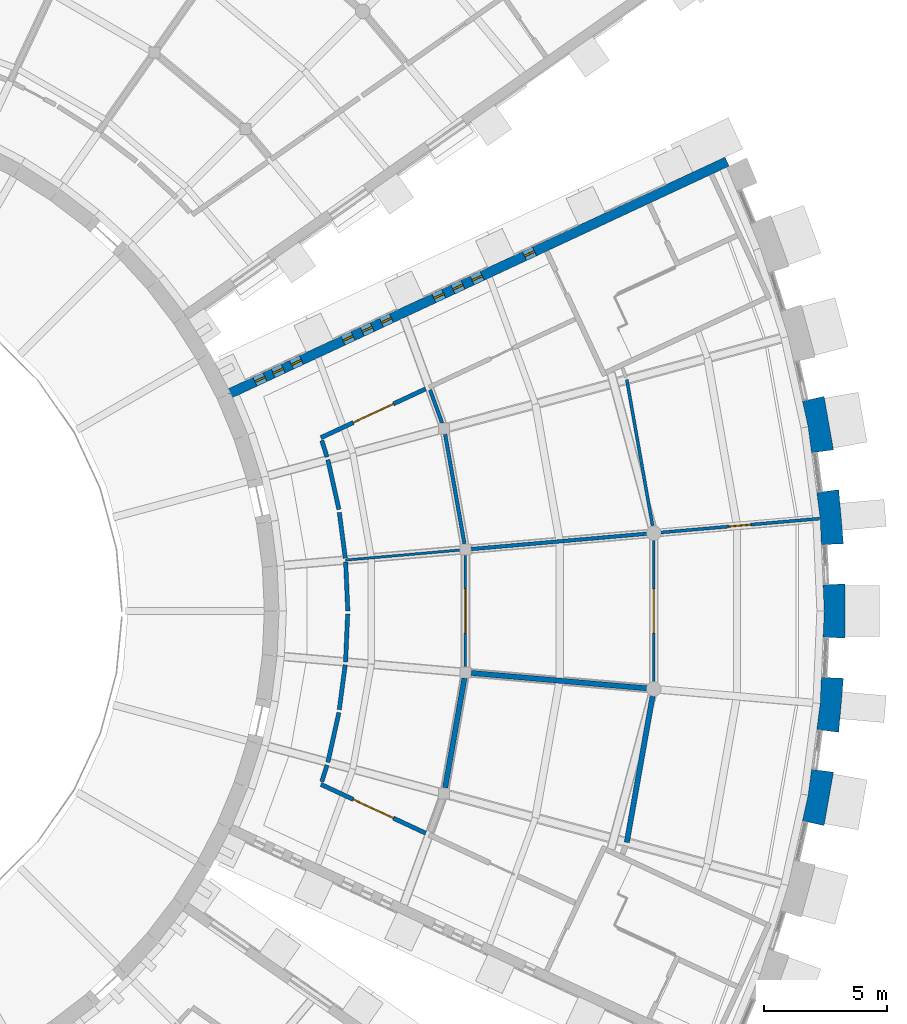
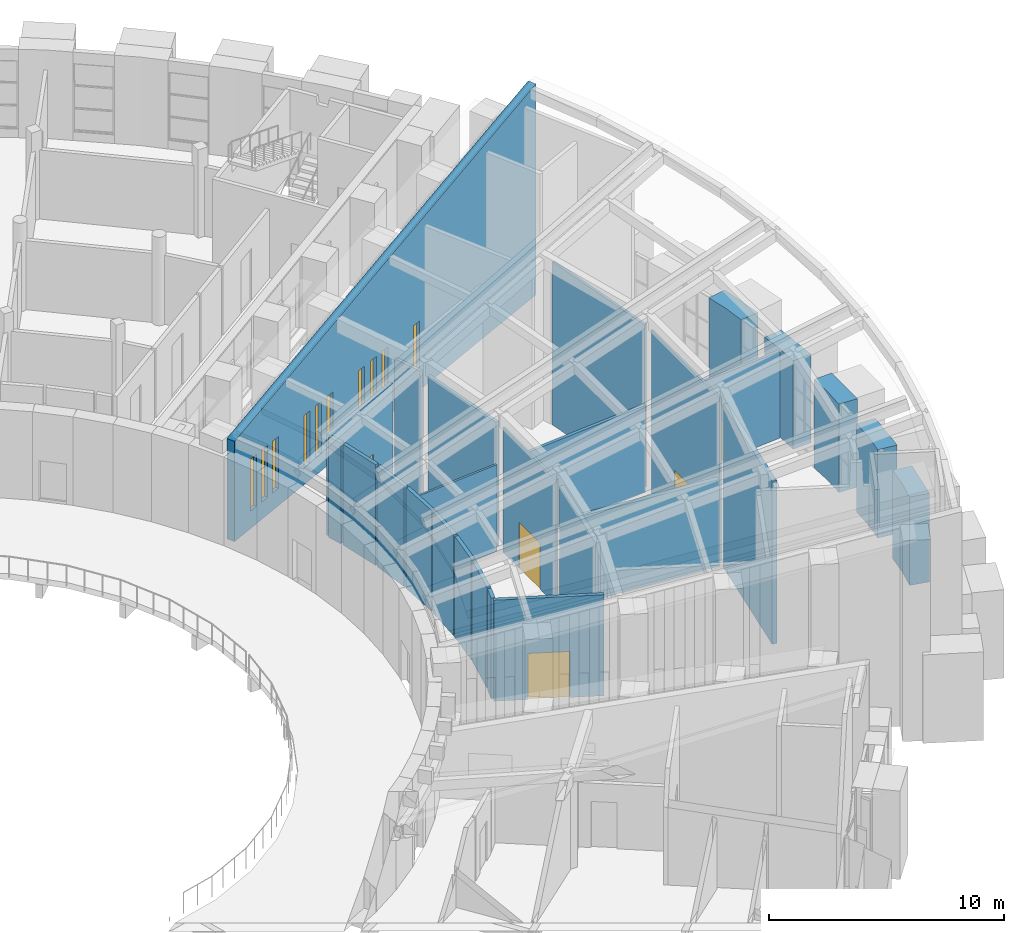
# One storey, part 29 of 50: 27 walls, 10 windows, 5 doors, 15 openings.
"""IFC4 building model written with IfcOpenShell, lengths in metres."""

from ifc_helpers import new_model, si_unit, direction, frame, frame_2d, origin, place, context, subcontext, project, spatial, polyline, rectangle, outline, extrude, material, layer, layer_set, type_object, element, fill, save


model = new_model("IFC4")

# Units and contexts
model_context = context("Model", 3, precision=1e-05, world=origin(), true_north=direction((0.0, 1.0)))
body_context = subcontext(model_context, "Body", "Model", "MODEL_VIEW")
ifc_project = project(units=[si_unit("LENGTHUNIT", "METRE"), si_unit("AREAUNIT", "SQUARE_METRE"), si_unit("VOLUMEUNIT", "CUBIC_METRE"), si_unit("PLANEANGLEUNIT", "RADIAN"), si_unit("MASSUNIT", "GRAM", prefix="KILO")], contexts=[model_context])

# Site, building, storey
site_placement = place(None, origin())
site = spatial("IfcSite", under=ifc_project, at=site_placement, CompositionType="ELEMENT")
building_placement = place(site_placement, origin())
building = spatial("IfcBuilding", under=site, at=building_placement, Name="Volute Hill Aquarium", CompositionType="ELEMENT")
storey_placement = place(building_placement, frame((0.0, 0.0, 9.199951171875)))
storey = spatial("IfcBuildingStorey", under=building, at=storey_placement, Name="L03", CompositionType="ELEMENT", Elevation=9.199951171875)

# Walls
ifc_material_1 = material(Name="Gypsum board on steel studs", Category="steel")
ifc_layer_1 = layer(ifc_material_1, 0.14990234375)
ifc_layer_set_1 = layer_set([ifc_layer_1], Name="Acoustic partition 150")
wall_type_1 = type_object("IfcWallType", Name="Acoustic partition 150", PredefinedType="PARTITIONING", material=ifc_layer_set_1)
wall_1_placement = place(storey_placement, frame((28.829833984375, 2.522216796875, 0.0), z_axis=(0.0, 0.0, 1.0), x_axis=(0.996193240342, 0.087172403299, 0.0)))
element("IfcWall", 1, at=wall_1_placement, inside=storey, type_object=wall_type_1, Name="pw/S4/L03/002", PredefinedType="PARTITIONING", context=body_context, shape_type="SweptSolid", body=[
    extrude(rectangle(XDim=7.22021484375, YDim=0.14990234375, at=frame_2d((3.610107421875, 0.0))), origin(), (0.0, 0.0, 1.0), 4.521728515625),
])
wall_2_placement = place(storey_placement, frame((27.763671875, 7.19189453125, 0.0), z_axis=(0.0, 0.0, 1.0), x_axis=(0.173696036677, -0.984799312978, 0.0)))
element("IfcWall", 2, at=wall_2_placement, inside=storey, type_object=wall_type_1, Name="pw/S4/L03/013", PredefinedType="PARTITIONING", context=body_context, shape_type="SweptSolid", body=[
    extrude(rectangle(XDim=4.523193359375, YDim=0.14990234375, at=frame_2d((2.26171875, 0.0))), origin(), (0.0, 0.0, 1.0), 6.50146484375),
])
wall_3_placement = place(storey_placement, frame((27.14990234375, 9.000244140625, 0.0), z_axis=(0.0, 0.0, 1.0), x_axis=(0.342016566384, -0.939693922679, 0.0)))
element("IfcWall", 3, at=wall_3_placement, inside=storey, type_object=wall_type_1, Name="pw/S4/L03/022", PredefinedType="PARTITIONING", context=body_context, shape_type="SweptSolid", body=[
    extrude(rectangle(XDim=1.433349609375, YDim=0.14990234375, at=frame_2d((0.716796875, 0.0))), origin(), (0.0, 0.0, 1.0), 6.50146484375),
])

# Wall, opening, door
ifc_material_2 = material(Name="Gypsum board on steel studs", Category="steel")
ifc_layer_2 = layer(ifc_material_2, 0.175048828125)
ifc_layer_set_2 = layer_set([ifc_layer_2], Name="Corridor partition 175 EI 60")
wall_type_2 = type_object("IfcWallType", Name="Corridor partition 175 EI 60", PredefinedType="PARTITIONING", material=ifc_layer_set_2)
wall_4_placement = place(storey_placement, frame((26.9736328125, 9.04736328125, 0.0), z_axis=(0.0, 0.0, 1.0), x_axis=(-0.906308936169, -0.422615797409, 0.0)))
wall_4 = element("IfcWall", 4, at=wall_4_placement, inside=storey, type_object=wall_type_2, Name="pw/S4/L03/009", PredefinedType="PARTITIONING", context=body_context, shape_type="SweptSolid", body=[
    extrude(rectangle(XDim=4.708740234375, YDim=0.175048828125, at=frame_2d((2.3544921875, 0.0))), origin(), (0.0, 0.0, 1.0), 5.252197265625),
])
opening_1_placement = place(wall_4_placement, frame((1.454345703125, 0.0, 0.0)))
opening_1 = element("IfcOpeningElement", 5, at=opening_1_placement, cuts=wall_4, Name="Opening D4.03.02", PredefinedType="OPENING", context=body_context, shape_type="SweptSolid", body=[
    extrude(rectangle(XDim=1.800048828125, YDim=2.39990234375, at=frame_2d((0.89990234375, 1.199951171875))), frame((0.0, 0.097412109375, 0.0), z_axis=(0.0, -1.0, 0.0), x_axis=(1.0, 0.0, 0.0)), (0.0, 0.0, 1.0), 0.195068359375),
])
ifc_material_3 = material(Name="Timber, fire-rated", Category="wood")
door_type_1 = type_object("IfcDoorType", Name="Door 1800 x 2400 gallery double EI1 30", OperationType="DOUBLE_DOOR_SINGLE_SWING", PredefinedType="DOOR", material=ifc_material_3)
door_1_placement = place(opening_1_placement, origin())
door_1 = element("IfcDoor", 6, at=door_1_placement, inside=storey, type_object=door_type_1, Name="d/S4/L03/02", OperationType="SINGLE_SWING_LEFT", OverallHeight=2.39990234375, OverallWidth=1.800048828125, PredefinedType="DOOR", context=body_context, shape_type="SweptSolid", body=[
    extrude(rectangle(XDim=1.800048828125, YDim=2.39990234375, at=frame_2d((0.89990234375, 1.199951171875))), frame((0.0, 0.02490234375, 0.0), z_axis=(0.0, -1.0, 0.0), x_axis=(1.0, 0.0, 0.0)), (0.0, 0.0, 1.0), 0.050048828125),
])
fill(opening_1, door_1)

wall_5_placement = place(storey_placement, frame((22.7060546875, -7.057373046875, 0.0), z_axis=(0.0, 0.0, 1.0), x_axis=(0.906308936169, -0.422615797409, 0.0)))
wall_5 = element("IfcWall", 7, at=wall_5_placement, inside=storey, type_object=wall_type_2, Name="pw/S4/L03/010", PredefinedType="PARTITIONING", context=body_context, shape_type="SweptSolid", body=[
    extrude(rectangle(XDim=4.708740234375, YDim=0.175048828125, at=frame_2d((2.3544921875, 0.0))), origin(), (0.0, 0.0, 1.0), 5.252197265625),
])
opening_2_placement = place(wall_5_placement, frame((1.454345703125, 0.0, 0.0)))
opening_2 = element("IfcOpeningElement", 8, at=opening_2_placement, cuts=wall_5, Name="Opening D4.03.01", PredefinedType="OPENING", context=body_context, shape_type="SweptSolid", body=[
    extrude(rectangle(XDim=1.800048828125, YDim=2.39990234375, at=frame_2d((0.89990234375, 1.199951171875))), frame((0.0, 0.097412109375, 0.0), z_axis=(0.0, -1.0, 0.0), x_axis=(1.0, 0.0, 0.0)), (0.0, 0.0, 1.0), 0.195068359375),
])
door_2_placement = place(opening_2_placement, origin())
door_2 = element("IfcDoor", 9, at=door_2_placement, inside=storey, type_object=door_type_1, Name="d/S4/L03/01", OperationType="SINGLE_SWING_LEFT", OverallHeight=2.39990234375, OverallWidth=1.800048828125, PredefinedType="DOOR", context=body_context, shape_type="SweptSolid", body=[
    extrude(rectangle(XDim=1.800048828125, YDim=2.39990234375, at=frame_2d((0.89990234375, 1.199951171875))), frame((0.0, 0.02490234375, 0.0), z_axis=(0.0, -1.0, 0.0), x_axis=(1.0, 0.0, 0.0)), (0.0, 0.0, 1.0), 0.050048828125),
])
fill(opening_2, door_2)

# Walls
for number, where, z_axis, x_axis, name in (
    (10, (22.989013671875, 6.159912109375, 0.0), (0.0, 0.0, 1.0), (0.216469786072, -0.97628931763, 0.0), "pw/S4/L03/015"),
    (11, (23.4384765625, -4.1328125, 0.0), (0.0, 0.0, 1.0), (-0.216469786072, -0.97628931763, 0.0), "pw/S4/L03/016"),
):
    element("IfcWall", number, at=place(storey_placement, frame(where, z_axis=z_axis, x_axis=x_axis)), inside=storey, type_object=wall_type_2, Name=name, PredefinedType="PARTITIONING", context=body_context, shape_type="SweptSolid", body=[
        extrude(rectangle(XDim=2.076416015625, YDim=0.175048828125, at=frame_2d((1.0380859375, 0.0))), origin(), (0.0, 0.0, 1.0), 5.24169921875),
    ])
wall_6_placement = place(storey_placement, frame((23.712890625, 1.994384765625, 0.0), z_axis=(0.0, 0.0, 1.0), x_axis=(0.043660127286, -0.999046442006, 0.0)))
element("IfcWall", 12, at=wall_6_placement, inside=storey, type_object=wall_type_2, Name="pw/S4/L03/017", PredefinedType="PARTITIONING", context=body_context, shape_type="SweptSolid", body=[
    extrude(rectangle(XDim=1.996337890625, YDim=0.175048828125, at=frame_2d((0.998046875, 0.0))), origin(), (0.0, 0.0, 1.0), 5.242431640625),
])
wall_7_placement = place(storey_placement, frame((23.794921875, -0.117431640625, 0.0), z_axis=(0.0, 0.0, 1.0), x_axis=(-0.043626546244, -0.999047908993, 0.0)))
element("IfcWall", 13, at=wall_7_placement, inside=storey, type_object=wall_type_2, Name="pw/S4/L03/018", PredefinedType="PARTITIONING", context=body_context, shape_type="SweptSolid", body=[
    extrude(rectangle(XDim=1.958740234375, YDim=0.175048828125, at=frame_2d((0.9794921875, 0.0))), origin(), (0.0, 0.0, 1.0), 5.24169921875),
])
wall_8_placement = place(storey_placement, frame((23.45361328125, 4.016357421875, 0.0), z_axis=(0.0, 0.0, 1.0), x_axis=(0.130588961803, -0.99143659558, 0.0)))
element("IfcWall", 14, at=wall_8_placement, inside=storey, type_object=wall_type_2, Name="pw/S4/L03/019", PredefinedType="PARTITIONING", context=body_context, shape_type="SweptSolid", body=[
    extrude(rectangle(XDim=1.87890625, YDim=0.175048828125, at=frame_2d((0.939453125, 0.0))), origin(), (0.0, 0.0, 1.0), 5.242431640625),
])
wall_9_placement = place(storey_placement, frame((23.694091796875, -2.19091796875, 0.0), z_axis=(0.0, 0.0, 1.0), x_axis=(-0.130608862447, -0.991433974126, 0.0)))
element("IfcWall", 15, at=wall_9_placement, inside=storey, type_object=wall_type_2, Name="pw/S4/L03/020", PredefinedType="PARTITIONING", context=body_context, shape_type="SweptSolid", body=[
    extrude(rectangle(XDim=1.84130859375, YDim=0.175048828125, at=frame_2d((0.920654296875, 0.0))), origin(), (0.0, 0.0, 1.0), 5.2431640625),
])
for number, where, z_axis, x_axis, name in (
    (16, (22.741455078125, 6.9453125, 0.0), (0.0, 0.0, 1.0), (0.300518931654, -0.953775849829, 0.0), "pw/S4/L03/023"),
    (17, (22.95361328125, -6.27197265625, 0.0), (0.0, 0.0, 1.0), (-0.300518931654, -0.953775849829, 0.0), "pw/S4/L03/024"),
):
    element("IfcWall", number, at=place(storey_placement, frame(where, z_axis=z_axis, x_axis=x_axis)), inside=storey, type_object=wall_type_2, Name=name, PredefinedType="PARTITIONING", context=body_context, shape_type="SweptSolid", body=[
        extrude(rectangle(XDim=0.7060546875, YDim=0.175048828125, at=frame_2d((0.35302734375, 0.0))), origin(), (0.0, 0.0, 1.0), 5.2431640625),
    ])

# Wall, openings, windows
ifc_material_4 = material(Name="Concrete C35/45", Category="concrete")
ifc_layer_3 = layer(ifc_material_4, 0.39990234375)
ifc_layer_set_3 = layer_set([ifc_layer_3], Name="End wall 400 C35/45")
wall_type_3 = type_object("IfcWallType", Name="End wall 400 C35/45", PredefinedType="SHEAR", material=ifc_layer_set_3)
wall_10_placement = place(storey_placement, frame((18.94189453125, 8.832763671875, 0.0), z_axis=(0.0, 0.0, 1.0), x_axis=(0.906309235651, 0.422615155162, 0.0)))
wall_10 = element("IfcWall", 18, at=wall_10_placement, inside=storey, type_object=wall_type_3, Name="sw/S4/L03/endB", PredefinedType="SHEAR", context=body_context, shape_type="SweptSolid", body=[
    extrude(outline(polyline([(0.0, 0.0), (22.39990234375, 0.0), (22.39990234375, 10.974853515625), (19.60009765625, 10.2548828125), (16.800048828125, 9.53515625), (14.0, 8.8154296875), (11.199951171875, 8.095458984375), (8.39990234375, 7.375732421875), (5.60009765625, 6.65576171875), (2.800048828125, 5.93603515625), (0.0, 5.216064453125), (0.0, 0.0)])), frame((0.0, 0.199951171875, 0.0), z_axis=(0.0, -1.0, 0.0), x_axis=(1.0, 0.0, 0.0)), (0.0, 0.0, 1.0), 0.39990234375),
])
opening_3_placement = place(wall_10_placement, frame((1.190185546875, 0.0, 0.89990234375)))
opening_3 = element("IfcOpeningElement", 19, at=opening_3_placement, cuts=wall_10, Name="Opening W12", PredefinedType="OPENING", context=body_context, shape_type="SweptSolid", body=[
    extrude(rectangle(XDim=0.449951171875, YDim=2.699951171875, at=frame_2d((0.22509765625, 1.35009765625))), frame((0.0, 0.2099609375, 0.0), z_axis=(0.0, -1.0, 0.0), x_axis=(1.0, 0.0, 0.0)), (0.0, 0.0, 1.0), 0.419921875),
])
opening_4_placement = place(wall_10_placement, frame((2.008056640625, 0.0, 0.89990234375)))
opening_4 = element("IfcOpeningElement", 20, at=opening_4_placement, cuts=wall_10, Name="Opening W12", PredefinedType="OPENING", context=body_context, shape_type="SweptSolid", body=[
    extrude(rectangle(XDim=0.449951171875, YDim=2.699951171875, at=frame_2d((0.22509765625, 1.35009765625))), frame((0.0, 0.2099609375, 0.0), z_axis=(0.0, -1.0, 0.0), x_axis=(1.0, 0.0, 0.0)), (0.0, 0.0, 1.0), 0.419921875),
])
opening_5_placement = place(wall_10_placement, frame((2.825927734375, 0.0, 0.89990234375)))
opening_5 = element("IfcOpeningElement", 21, at=opening_5_placement, cuts=wall_10, Name="Opening W12", PredefinedType="OPENING", context=body_context, shape_type="SweptSolid", body=[
    extrude(rectangle(XDim=0.449951171875, YDim=2.699951171875, at=frame_2d((0.22509765625, 1.35009765625))), frame((0.0, 0.2099609375, 0.0), z_axis=(0.0, -1.0, 0.0), x_axis=(1.0, 0.0, 0.0)), (0.0, 0.0, 1.0), 0.419921875),
])
opening_6_placement = place(wall_10_placement, frame((5.146240234375, 0.0, 0.89990234375)))
opening_6 = element("IfcOpeningElement", 22, at=opening_6_placement, cuts=wall_10, Name="Opening W12", PredefinedType="OPENING", context=body_context, shape_type="SweptSolid", body=[
    extrude(rectangle(XDim=0.449951171875, YDim=2.699951171875, at=frame_2d((0.22509765625, 1.35009765625))), frame((0.0, 0.2099609375, 0.0), z_axis=(0.0, -1.0, 0.0), x_axis=(1.0, 0.0, 0.0)), (0.0, 0.0, 1.0), 0.419921875),
])
opening_7_placement = place(wall_10_placement, frame((6.009033203125, 0.0, 0.89990234375)))
opening_7 = element("IfcOpeningElement", 23, at=opening_7_placement, cuts=wall_10, Name="Opening W12", PredefinedType="OPENING", context=body_context, shape_type="SweptSolid", body=[
    extrude(rectangle(XDim=0.449951171875, YDim=2.699951171875, at=frame_2d((0.22509765625, 1.35009765625))), frame((0.0, 0.2099609375, 0.0), z_axis=(0.0, -1.0, 0.0), x_axis=(1.0, 0.0, 0.0)), (0.0, 0.0, 1.0), 0.419921875),
])
opening_8_placement = place(wall_10_placement, frame((6.871826171875, 0.0, 0.89990234375)))
opening_8 = element("IfcOpeningElement", 24, at=opening_8_placement, cuts=wall_10, Name="Opening W12", PredefinedType="OPENING", context=body_context, shape_type="SweptSolid", body=[
    extrude(rectangle(XDim=0.449951171875, YDim=2.699951171875, at=frame_2d((0.22509765625, 1.35009765625))), frame((0.0, 0.2099609375, 0.0), z_axis=(0.0, -1.0, 0.0), x_axis=(1.0, 0.0, 0.0)), (0.0, 0.0, 1.0), 0.419921875),
])
opening_9_placement = place(wall_10_placement, frame((9.22216796875, 0.0, 0.89990234375)))
opening_9 = element("IfcOpeningElement", 25, at=opening_9_placement, cuts=wall_10, Name="Opening W12", PredefinedType="OPENING", context=body_context, shape_type="SweptSolid", body=[
    extrude(rectangle(XDim=0.449951171875, YDim=2.699951171875, at=frame_2d((0.22509765625, 1.35009765625))), frame((0.0, 0.2099609375, 0.0), z_axis=(0.0, -1.0, 0.0), x_axis=(1.0, 0.0, 0.0)), (0.0, 0.0, 1.0), 0.419921875),
])
opening_10_placement = place(wall_10_placement, frame((10.0849609375, 0.0, 0.89990234375)))
opening_10 = element("IfcOpeningElement", 26, at=opening_10_placement, cuts=wall_10, Name="Opening W12", PredefinedType="OPENING", context=body_context, shape_type="SweptSolid", body=[
    extrude(rectangle(XDim=0.449951171875, YDim=2.699951171875, at=frame_2d((0.22509765625, 1.35009765625))), frame((0.0, 0.2099609375, 0.0), z_axis=(0.0, -1.0, 0.0), x_axis=(1.0, 0.0, 0.0)), (0.0, 0.0, 1.0), 0.419921875),
])
opening_11_placement = place(wall_10_placement, frame((10.94775390625, 0.0, 0.89990234375)))
opening_11 = element("IfcOpeningElement", 27, at=opening_11_placement, cuts=wall_10, Name="Opening W12", PredefinedType="OPENING", context=body_context, shape_type="SweptSolid", body=[
    extrude(rectangle(XDim=0.449951171875, YDim=2.699951171875, at=frame_2d((0.22509765625, 1.35009765625))), frame((0.0, 0.2099609375, 0.0), z_axis=(0.0, -1.0, 0.0), x_axis=(1.0, 0.0, 0.0)), (0.0, 0.0, 1.0), 0.419921875),
])
opening_12_placement = place(wall_10_placement, frame((13.29833984375, 0.0, 0.89990234375)))
opening_12 = element("IfcOpeningElement", 28, at=opening_12_placement, cuts=wall_10, Name="Opening W12", PredefinedType="OPENING", context=body_context, shape_type="SweptSolid", body=[
    extrude(rectangle(XDim=0.449951171875, YDim=2.699951171875, at=frame_2d((0.22509765625, 1.35009765625))), frame((0.0, 0.2099609375, 0.0), z_axis=(0.0, -1.0, 0.0), x_axis=(1.0, 0.0, 0.0)), (0.0, 0.0, 1.0), 0.419921875),
])
ifc_material_5 = material(Name="Aluminium and glass", Category="aluminium")
window_type = type_object("IfcWindowType", Name="End wall window 450x2700", PartitioningType="SINGLE_PANEL", PredefinedType="WINDOW", material=ifc_material_5)
window_1_placement = place(opening_3_placement, origin())
window_1 = element("IfcWindow", 29, at=window_1_placement, inside=storey, type_object=window_type, Name="End wall window S4B L03 1.1", OverallHeight=2.699951171875, OverallWidth=0.449951171875, PartitioningType="SINGLE_PANEL", PredefinedType="WINDOW", context=body_context, shape_type="SweptSolid", body=[
    extrude(rectangle(XDim=0.449951171875, YDim=2.699951171875, at=frame_2d((0.22509765625, 1.35009765625))), frame((0.0, 0.030029296875, 0.0), z_axis=(0.0, -1.0, 0.0), x_axis=(1.0, 0.0, 0.0)), (0.0, 0.0, 1.0), 0.06005859375),
])
fill(opening_3, window_1)
window_2_placement = place(opening_4_placement, origin())
window_2 = element("IfcWindow", 30, at=window_2_placement, inside=storey, type_object=window_type, Name="End wall window S4B L03 1.2", OverallHeight=2.699951171875, OverallWidth=0.449951171875, PartitioningType="SINGLE_PANEL", PredefinedType="WINDOW", context=body_context, shape_type="SweptSolid", body=[
    extrude(rectangle(XDim=0.449951171875, YDim=2.699951171875, at=frame_2d((0.22509765625, 1.35009765625))), frame((0.0, 0.030029296875, 0.0), z_axis=(0.0, -1.0, 0.0), x_axis=(1.0, 0.0, 0.0)), (0.0, 0.0, 1.0), 0.06005859375),
])
fill(opening_4, window_2)
window_3_placement = place(opening_5_placement, origin())
window_3 = element("IfcWindow", 31, at=window_3_placement, inside=storey, type_object=window_type, Name="End wall window S4B L03 1.3", OverallHeight=2.699951171875, OverallWidth=0.449951171875, PartitioningType="SINGLE_PANEL", PredefinedType="WINDOW", context=body_context, shape_type="SweptSolid", body=[
    extrude(rectangle(XDim=0.449951171875, YDim=2.699951171875, at=frame_2d((0.22509765625, 1.35009765625))), frame((0.0, 0.030029296875, 0.0), z_axis=(0.0, -1.0, 0.0), x_axis=(1.0, 0.0, 0.0)), (0.0, 0.0, 1.0), 0.06005859375),
])
fill(opening_5, window_3)
window_4_placement = place(opening_6_placement, origin())
window_4 = element("IfcWindow", 32, at=window_4_placement, inside=storey, type_object=window_type, Name="End wall window S4B L03 2.1", OverallHeight=2.699951171875, OverallWidth=0.449951171875, PartitioningType="SINGLE_PANEL", PredefinedType="WINDOW", context=body_context, shape_type="SweptSolid", body=[
    extrude(rectangle(XDim=0.449951171875, YDim=2.699951171875, at=frame_2d((0.22509765625, 1.35009765625))), frame((0.0, 0.030029296875, 0.0), z_axis=(0.0, -1.0, 0.0), x_axis=(1.0, 0.0, 0.0)), (0.0, 0.0, 1.0), 0.06005859375),
])
fill(opening_6, window_4)
window_5_placement = place(opening_7_placement, origin())
window_5 = element("IfcWindow", 33, at=window_5_placement, inside=storey, type_object=window_type, Name="End wall window S4B L03 2.2", OverallHeight=2.699951171875, OverallWidth=0.449951171875, PartitioningType="SINGLE_PANEL", PredefinedType="WINDOW", context=body_context, shape_type="SweptSolid", body=[
    extrude(rectangle(XDim=0.449951171875, YDim=2.699951171875, at=frame_2d((0.22509765625, 1.35009765625))), frame((0.0, 0.030029296875, 0.0), z_axis=(0.0, -1.0, 0.0), x_axis=(1.0, 0.0, 0.0)), (0.0, 0.0, 1.0), 0.06005859375),
])
fill(opening_7, window_5)
window_6_placement = place(opening_8_placement, origin())
window_6 = element("IfcWindow", 34, at=window_6_placement, inside=storey, type_object=window_type, Name="End wall window S4B L03 2.3", OverallHeight=2.699951171875, OverallWidth=0.449951171875, PartitioningType="SINGLE_PANEL", PredefinedType="WINDOW", context=body_context, shape_type="SweptSolid", body=[
    extrude(rectangle(XDim=0.449951171875, YDim=2.699951171875, at=frame_2d((0.22509765625, 1.35009765625))), frame((0.0, 0.030029296875, 0.0), z_axis=(0.0, -1.0, 0.0), x_axis=(1.0, 0.0, 0.0)), (0.0, 0.0, 1.0), 0.06005859375),
])
fill(opening_8, window_6)
window_7_placement = place(opening_9_placement, origin())
window_7 = element("IfcWindow", 35, at=window_7_placement, inside=storey, type_object=window_type, Name="End wall window S4B L03 3.1", OverallHeight=2.699951171875, OverallWidth=0.449951171875, PartitioningType="SINGLE_PANEL", PredefinedType="WINDOW", context=body_context, shape_type="SweptSolid", body=[
    extrude(rectangle(XDim=0.449951171875, YDim=2.699951171875, at=frame_2d((0.22509765625, 1.35009765625))), frame((0.0, 0.030029296875, 0.0), z_axis=(0.0, -1.0, 0.0), x_axis=(1.0, 0.0, 0.0)), (0.0, 0.0, 1.0), 0.06005859375),
])
fill(opening_9, window_7)
window_8_placement = place(opening_10_placement, origin())
window_8 = element("IfcWindow", 36, at=window_8_placement, inside=storey, type_object=window_type, Name="End wall window S4B L03 3.2", OverallHeight=2.699951171875, OverallWidth=0.449951171875, PartitioningType="SINGLE_PANEL", PredefinedType="WINDOW", context=body_context, shape_type="SweptSolid", body=[
    extrude(rectangle(XDim=0.449951171875, YDim=2.699951171875, at=frame_2d((0.22509765625, 1.35009765625))), frame((0.0, 0.030029296875, 0.0), z_axis=(0.0, -1.0, 0.0), x_axis=(1.0, 0.0, 0.0)), (0.0, 0.0, 1.0), 0.06005859375),
])
fill(opening_10, window_8)
window_9_placement = place(opening_11_placement, origin())
window_9 = element("IfcWindow", 37, at=window_9_placement, inside=storey, type_object=window_type, Name="End wall window S4B L03 3.3", OverallHeight=2.699951171875, OverallWidth=0.449951171875, PartitioningType="SINGLE_PANEL", PredefinedType="WINDOW", context=body_context, shape_type="SweptSolid", body=[
    extrude(rectangle(XDim=0.449951171875, YDim=2.699951171875, at=frame_2d((0.22509765625, 1.35009765625))), frame((0.0, 0.030029296875, 0.0), z_axis=(0.0, -1.0, 0.0), x_axis=(1.0, 0.0, 0.0)), (0.0, 0.0, 1.0), 0.06005859375),
])
fill(opening_11, window_9)
window_10_placement = place(opening_12_placement, origin())
window_10 = element("IfcWindow", 38, at=window_10_placement, inside=storey, type_object=window_type, Name="End wall window S4B L03 4.1", OverallHeight=2.699951171875, OverallWidth=0.449951171875, PartitioningType="SINGLE_PANEL", PredefinedType="WINDOW", context=body_context, shape_type="SweptSolid", body=[
    extrude(rectangle(XDim=0.449951171875, YDim=2.699951171875, at=frame_2d((0.22509765625, 1.35009765625))), frame((0.0, 0.030029296875, 0.0), z_axis=(0.0, -1.0, 0.0), x_axis=(1.0, 0.0, 0.0)), (0.0, 0.0, 1.0), 0.06005859375),
])
fill(opening_12, window_10)

# Wall, opening, door
ifc_material_6 = material(Name="Gypsum board on steel studs", Category="steel")
ifc_layer_4 = layer(ifc_material_6, 0.10009765625)
ifc_layer_set_4 = layer_set([ifc_layer_4], Name="Light partition 100")
wall_type_4 = type_object("IfcWallType", Name="Light partition 100", PredefinedType="PARTITIONING", material=ifc_layer_set_4)
wall_11_placement = place(storey_placement, frame((36.261474609375, 2.9326171875, 0.0), z_axis=(0.0, 0.0, 1.0), x_axis=(0.0, -1.0, 0.0)))
wall_11 = element("IfcWall", 39, at=wall_11_placement, inside=storey, type_object=wall_type_4, Name="pw/S4/L03/008", PredefinedType="PARTITIONING", context=body_context, shape_type="SweptSolid", body=[
    extrude(rectangle(XDim=5.865234375, YDim=0.10009765625, at=frame_2d((2.9326171875, 0.0))), origin(), (0.0, 0.0, 1.0), 8.48095703125),
])
opening_13_placement = place(wall_11_placement, frame((2.032470703125, 0.0, 0.0)))
opening_13 = element("IfcOpeningElement", 40, at=opening_13_placement, cuts=wall_11, Name="Opening D4.03.06", PredefinedType="OPENING", context=body_context, shape_type="SweptSolid", body=[
    extrude(rectangle(XDim=1.800048828125, YDim=2.39990234375, at=frame_2d((0.89990234375, 1.199951171875))), frame((0.0, 0.06005859375, 0.0), z_axis=(0.0, -1.0, 0.0), x_axis=(1.0, 0.0, 0.0)), (0.0, 0.0, 1.0), 0.1201171875),
])
ifc_material_7 = material(Name="Timber", Category="wood")
door_type_2 = type_object("IfcDoorType", Name="Door 1800 x 2400 gallery double", OperationType="DOUBLE_DOOR_SINGLE_SWING", PredefinedType="DOOR", material=ifc_material_7)
door_3_placement = place(opening_13_placement, origin())
door_3 = element("IfcDoor", 41, at=door_3_placement, inside=storey, type_object=door_type_2, Name="d/S4/L03/06", OperationType="SINGLE_SWING_LEFT", OverallHeight=2.39990234375, OverallWidth=1.800048828125, PredefinedType="DOOR", context=body_context, shape_type="SweptSolid", body=[
    extrude(rectangle(XDim=1.800048828125, YDim=2.39990234375, at=frame_2d((0.89990234375, 1.199951171875))), frame((0.0, 0.02490234375, 0.0), z_axis=(0.0, -1.0, 0.0), x_axis=(1.0, 0.0, 0.0)), (0.0, 0.0, 1.0), 0.050048828125),
])
fill(opening_13, door_3)

# Wall
wall_12_placement = place(storey_placement, frame((23.70947265625, 2.07421875, 0.0), z_axis=(0.0, 0.0, 1.0), x_axis=(0.996192864458, 0.087176698736, 0.0)))
element("IfcWall", 42, at=wall_12_placement, inside=storey, type_object=wall_type_4, Name="pw/S4/L03/011", PredefinedType="PARTITIONING", context=body_context, shape_type="SweptSolid", body=[
    extrude(rectangle(XDim=4.66015625, YDim=0.10009765625, at=frame_2d((2.330078125, 0.0))), origin(), (0.0, 0.0, 1.0), 4.521728515625),
])

# Wall, opening, door
wall_13_placement = place(storey_placement, frame((28.5908203125, 2.261474609375, 0.0), z_axis=(0.0, 0.0, 1.0), x_axis=(0.0, -1.0, 0.0)))
wall_13 = element("IfcWall", 43, at=wall_13_placement, inside=storey, type_object=wall_type_4, Name="pw/S4/L03/014", PredefinedType="PARTITIONING", context=body_context, shape_type="SweptSolid", body=[
    extrude(rectangle(XDim=4.52294921875, YDim=0.10009765625, at=frame_2d((2.261474609375, 0.0))), origin(), (0.0, 0.0, 1.0), 6.50146484375),
])
opening_14_placement = place(wall_13_placement, frame((1.361328125, 0.0, 0.0)))
opening_14 = element("IfcOpeningElement", 44, at=opening_14_placement, cuts=wall_13, Name="Opening D4.03.05", PredefinedType="OPENING", context=body_context, shape_type="SweptSolid", body=[
    extrude(rectangle(XDim=1.800048828125, YDim=2.39990234375, at=frame_2d((0.89990234375, 1.199951171875))), frame((0.0, 0.06005859375, 0.0), z_axis=(0.0, -1.0, 0.0), x_axis=(1.0, 0.0, 0.0)), (0.0, 0.0, 1.0), 0.1201171875),
])
door_4_placement = place(opening_14_placement, origin())
door_4 = element("IfcDoor", 45, at=door_4_placement, inside=storey, type_object=door_type_2, Name="d/S4/L03/05", OperationType="SINGLE_SWING_LEFT", OverallHeight=2.39990234375, OverallWidth=1.800048828125, PredefinedType="DOOR", context=body_context, shape_type="SweptSolid", body=[
    extrude(rectangle(XDim=1.800048828125, YDim=2.39990234375, at=frame_2d((0.89990234375, 1.199951171875))), frame((0.0, 0.02490234375, 0.0), z_axis=(0.0, -1.0, 0.0), x_axis=(1.0, 0.0, 0.0)), (0.0, 0.0, 1.0), 0.050048828125),
])
fill(opening_14, door_4)

# Walls
ifc_material_8 = material(Name="Precast concrete C40/50", Category="concrete")
ifc_layer_5 = layer(ifc_material_8, 0.89990234375)
ifc_layer_set_5 = layer_set([ifc_layer_5], Name="Outer pier precast concrete C40/50 900")
wall_type_5 = type_object("IfcWallType", Name="Outer pier precast concrete C40/50 900", PredefinedType="NOTDEFINED", material=ifc_layer_set_5)
wall_14_placement = place(storey_placement, origin())
element("IfcWall", 46, at=wall_14_placement, inside=storey, type_object=wall_type_5, Name="Outer pier OWP S4 L03 4", PredefinedType="NOTDEFINED", context=body_context, shape_type="SweptSolid", body=[
    extrude(outline(polyline([(42.312744140625, -8.5419921875), (43.19140625, -8.73681640625), (43.57470703125, -6.5625), (42.682373046875, -6.445068359375), (42.543212890625, -7.50146484375), (42.312744140625, -8.5419921875)])), origin(), (0.0, 0.0, 1.0), 4.60009765625),
])
wall_15_placement = place(storey_placement, origin())
element("IfcWall", 47, at=wall_15_placement, inside=storey, type_object=wall_type_5, Name="Outer pier OWP S4 L03 5", PredefinedType="NOTDEFINED", context=body_context, shape_type="SweptSolid", body=[
    extrude(outline(polyline([(42.89599609375, -4.821533203125), (43.788330078125, -4.93896484375), (43.980712890625, -2.73974609375), (43.081787109375, -2.700439453125), (43.03515625, -3.76513671875), (42.89599609375, -4.821533203125)])), origin(), (0.0, 0.0, 1.0), 4.60009765625),
])
wall_16_placement = place(storey_placement, origin())
element("IfcWall", 48, at=wall_16_placement, inside=storey, type_object=wall_type_5, Name="Outer pier OWP S4 L03 6", PredefinedType="NOTDEFINED", context=body_context, shape_type="SweptSolid", body=[
    extrude(outline(polyline([(43.153076171875, -1.064453125), (44.05224609375, -1.103759765625), (44.05224609375, 1.103759765625), (43.153076171875, 1.064697265625), (43.19970703125, 0.0), (43.153076171875, -1.064453125)])), origin(), (0.0, 0.0, 1.0), 4.60009765625),
])
wall_17_placement = place(storey_placement, origin())
element("IfcWall", 49, at=wall_17_placement, inside=storey, type_object=wall_type_5, Name="Outer pier OWP S4 L03 7", PredefinedType="NOTDEFINED", context=body_context, shape_type="SweptSolid", body=[
    extrude(outline(polyline([(43.08154296875, 2.700439453125), (43.980712890625, 2.73974609375), (43.788330078125, 4.93896484375), (42.89599609375, 4.821533203125), (43.03515625, 3.76513671875), (43.08154296875, 2.700439453125)])), origin(), (0.0, 0.0, 1.0), 4.60009765625),
])
wall_18_placement = place(storey_placement, origin())
element("IfcWall", 50, at=wall_18_placement, inside=storey, type_object=wall_type_5, Name="Outer pier OWP S4 L03 8", PredefinedType="NOTDEFINED", context=body_context, shape_type="SweptSolid", body=[
    extrude(outline(polyline([(42.682373046875, 6.445068359375), (43.57470703125, 6.5625), (43.19140625, 8.736572265625), (42.312744140625, 8.541748046875), (42.543212890625, 7.50146484375), (42.682373046875, 6.445068359375)])), origin(), (0.0, 0.0, 1.0), 4.60009765625),
])
ifc_material_9 = material(Name="Masonry blockwork", Category="masonry")
ifc_layer_6 = layer(ifc_material_9, 0.215087890625)
ifc_layer_set_6 = layer_set([ifc_layer_6], Name="Plant room wall 215 EI 60")
wall_type_6 = type_object("IfcWallType", Name="Plant room wall 215 EI 60", PredefinedType="PARTITIONING", material=ifc_layer_set_6)
wall_19_placement = place(storey_placement, frame((28.829833984375, -2.522216796875, 0.0), z_axis=(0.0, 0.0, 1.0), x_axis=(0.996193240342, -0.087172403299, 0.0)))
element("IfcWall", 51, at=wall_19_placement, inside=storey, type_object=wall_type_6, Name="pw/S4/L03/001", PredefinedType="PARTITIONING", context=body_context, shape_type="SweptSolid", body=[
    extrude(rectangle(XDim=7.22021484375, YDim=0.215087890625, at=frame_2d((3.610107421875, 0.0))), origin(), (0.0, 0.0, 1.0), 4.521728515625),
])
wall_20_placement = place(storey_placement, frame((36.219970703125, -3.40869140625, 0.0), z_axis=(0.0, 0.0, 1.0), x_axis=(-0.173678110418, -0.984802474592, 0.0)))
element("IfcWall", 52, at=wall_20_placement, inside=storey, type_object=wall_type_6, Name="pw/S4/L03/006", PredefinedType="PARTITIONING", context=body_context, shape_type="SweptSolid", body=[
    extrude(rectangle(XDim=6.10498046875, YDim=0.215087890625, at=frame_2d((3.052490234375, 0.0))), origin(), (0.0, 0.0, 1.0), 8.48095703125),
])
wall_21_placement = place(storey_placement, frame((28.54931640625, -2.737548828125, 0.0), z_axis=(0.0, 0.0, 1.0), x_axis=(-0.173696036677, -0.984799312978, 0.0)))
element("IfcWall", 53, at=wall_21_placement, inside=storey, type_object=wall_type_6, Name="pw/S4/L03/012", PredefinedType="PARTITIONING", context=body_context, shape_type="SweptSolid", body=[
    extrude(rectangle(XDim=4.523193359375, YDim=0.215087890625, at=frame_2d((2.26171875, 0.0))), origin(), (0.0, 0.0, 1.0), 6.50146484375),
])

# Wall, opening, door
ifc_material_10 = material(Name="Gypsum board on steel studs, tiled", Category="steel")
ifc_layer_7 = layer(ifc_material_10, 0.125)
ifc_layer_set_7 = layer_set([ifc_layer_7], Name="Wet-area partition 125")
wall_type_7 = type_object("IfcWallType", Name="Wet-area partition 125", PredefinedType="PARTITIONING", material=ifc_layer_set_7)
wall_22_placement = place(storey_placement, frame((36.50048828125, 3.193359375, 0.0), z_axis=(0.0, 0.0, 1.0), x_axis=(0.996195137737, 0.087150717435, 0.0)))
wall_22 = element("IfcWall", 54, at=wall_22_placement, inside=storey, type_object=wall_type_7, Name="pw/S4/L03/005", PredefinedType="PARTITIONING", context=body_context, shape_type="SweptSolid", body=[
    extrude(rectangle(XDim=6.530029296875, YDim=0.125, at=frame_2d((3.26513671875, 0.0))), origin(), (0.0, 0.0, 1.0), 4.521728515625),
])
opening_15_placement = place(wall_22_placement, frame((2.81494140625, 0.0, 0.0)))
opening_15 = element("IfcOpeningElement", 55, at=opening_15_placement, cuts=wall_22, Name="Opening D4.03.07", PredefinedType="OPENING", context=body_context, shape_type="SweptSolid", body=[
    extrude(rectangle(XDim=0.89990234375, YDim=2.10009765625, at=frame_2d((0.449951171875, 1.050048828125))), frame((0.0, 0.072509765625, 0.0), z_axis=(0.0, -1.0, 0.0), x_axis=(1.0, 0.0, 0.0)), (0.0, 0.0, 1.0), 0.14501953125),
])
ifc_material_11 = material(Name="Timber", Category="wood")
door_type_3 = type_object("IfcDoorType", Name="Door 900 x 2100 wc single", OperationType="SINGLE_SWING_LEFT", PredefinedType="DOOR", material=ifc_material_11)
door_5_placement = place(opening_15_placement, origin())
door_5 = element("IfcDoor", 56, at=door_5_placement, inside=storey, type_object=door_type_3, Name="d/S4/L03/07", OperationType="SINGLE_SWING_LEFT", OverallHeight=2.10009765625, OverallWidth=0.89990234375, PredefinedType="DOOR", context=body_context, shape_type="SweptSolid", body=[
    extrude(rectangle(XDim=0.89990234375, YDim=2.10009765625, at=frame_2d((0.449951171875, 1.050048828125))), frame((0.0, 0.02490234375, 0.0), z_axis=(0.0, -1.0, 0.0), x_axis=(1.0, 0.0, 0.0)), (0.0, 0.0, 1.0), 0.050048828125),
])
fill(opening_15, door_5)

# Wall
wall_23_placement = place(storey_placement, frame((35.15966796875, 9.4208984375, 0.0), z_axis=(0.0, 0.0, 1.0), x_axis=(0.173678110418, -0.984802474592, 0.0)))
element("IfcWall", 57, at=wall_23_placement, inside=storey, type_object=wall_type_7, Name="pw/S4/L03/007", PredefinedType="PARTITIONING", context=body_context, shape_type="SweptSolid", body=[
    extrude(rectangle(XDim=6.10498046875, YDim=0.125, at=frame_2d((3.052490234375, 0.0))), origin(), (0.0, 0.0, 1.0), 8.48095703125),
])

save(model, "model.ifc")
